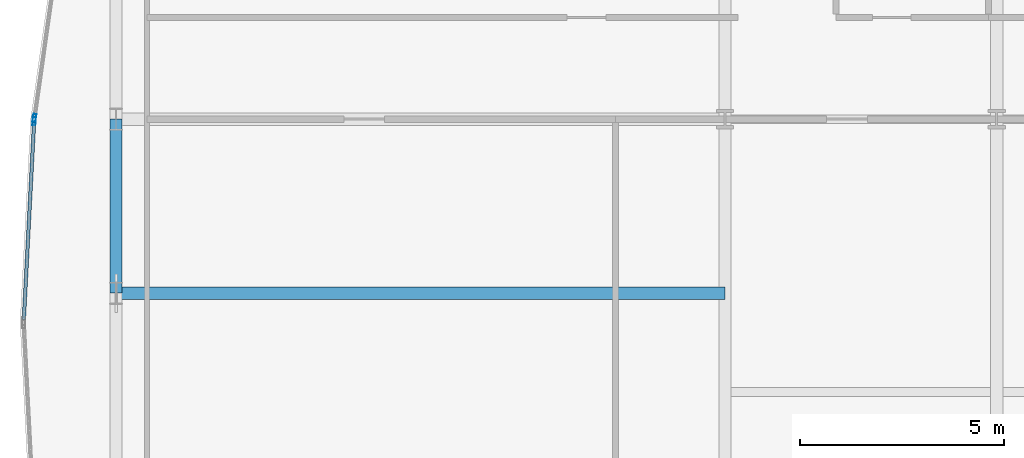
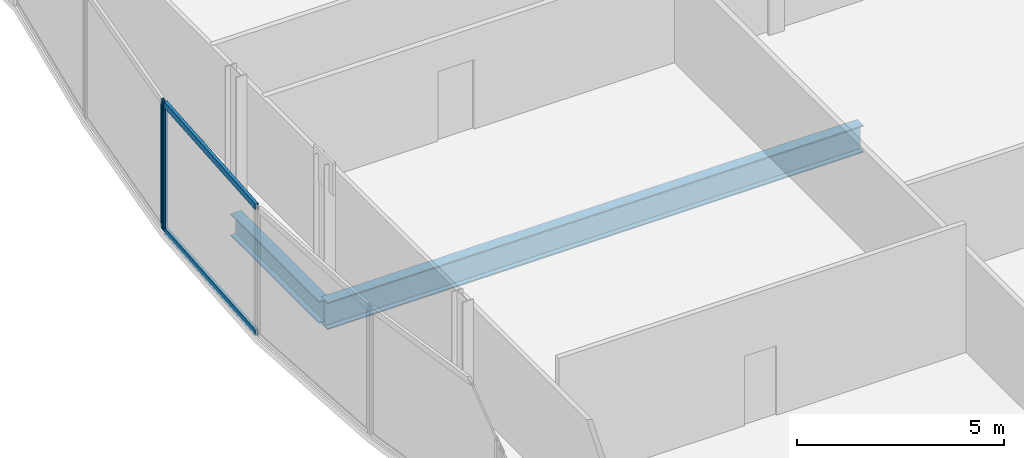
# One storey, part 11 of 34: 4 members, 2 beams, 2 elements without a shape of their own.
"""IFC4 building model written with IfcOpenShell, lengths in metres."""

from ifc_helpers import new_model, si_unit, direction, frame, origin, origin_2d, place, context, subcontext, project, spatial, hollow_rectangle, i_section, extrude, material, material_profile, profile_set, type_object, element, aggregate, save


model = new_model("IFC4")

# Units and contexts
model_context = context("Model", 3, precision=1e-05, world=origin(), true_north=direction((0.0, 1.0)))
body_context = subcontext(model_context, "Body", "Model", "MODEL_VIEW")
ifc_project = project(units=[si_unit("LENGTHUNIT", "METRE"), si_unit("AREAUNIT", "SQUARE_METRE"), si_unit("VOLUMEUNIT", "CUBIC_METRE"), si_unit("PLANEANGLEUNIT", "RADIAN"), si_unit("MASSUNIT", "GRAM", prefix="KILO")], contexts=[model_context])

# Site, building, storey
site_placement = place(None, origin())
site = spatial("IfcSite", under=ifc_project, at=site_placement, CompositionType="ELEMENT")
building_placement = place(site_placement, origin())
building = spatial("IfcBuilding", under=site, at=building_placement, Name="Khoronbel Lancet Exchange", CompositionType="ELEMENT")
storey_placement = place(building_placement, frame((0.0, 0.0, 102.60009765625)))
storey = spatial("IfcBuildingStorey", under=building, at=storey_placement, Name="L24", CompositionType="ELEMENT", Elevation=102.60009765625)

# Beams
ifc_material_1 = material(Name="Steel S355", Category="steel")
ifc_material_profile_1 = material_profile(ifc_material_1, i_section(OverallWidth=0.300048828125, OverallDepth=0.800048828125, WebThickness=0.017578125, FlangeThickness=0.032958984375, at=origin_2d()), Name="HEB 800")
ifc_profile_set_1 = profile_set([ifc_material_profile_1], Name="Steel S355")
beam_type_1 = type_object("IfcBeamType", Name="BM-BG2", PredefinedType="BEAM", material=ifc_profile_set_1)
beam_1_placement = place(storey_placement, frame((3.27001953125, 31.425048828125, -0.580078125), z_axis=(1.0, 0.0, 0.0), x_axis=(0.0, 1.0, 0.0)))
element("IfcBeam", 1, at=beam_1_placement, inside=storey, type_object=beam_type_1, Name="Level L24 west lens tie girder LG2W", PredefinedType="BEAM", context=body_context, shape_type="SweptSolid", body=[
    extrude(i_section(OverallWidth=0.300048828125, OverallDepth=0.800048828125, WebThickness=0.017578125, FlangeThickness=0.032958984375, at=origin_2d()), origin(), (0.0, 0.0, 1.0), 14.955078125),
])
ifc_material_profile_2 = material_profile(ifc_material_1, i_section(OverallWidth=0.300048828125, OverallDepth=0.64990234375, WebThickness=0.01611328125, FlangeThickness=0.031005859375, at=origin_2d()), Name="HEB 650")
ifc_profile_set_2 = profile_set([ifc_material_profile_2], Name="Steel S355")
beam_type_2 = type_object("IfcBeamType", Name="BM-BSP1", PredefinedType="SPANDREL", material=ifc_profile_set_2)
beam_2_placement = place(storey_placement, frame((3.27001953125, 35.699951171875, -0.505126953125), z_axis=(0.0, -1.0, 0.0), x_axis=(1.0, 0.0, 0.0)))
element("IfcBeam", 2, at=beam_2_placement, inside=storey, type_object=beam_type_2, Name="Level L24 perimeter spandrel beam SP18", PredefinedType="SPANDREL", context=body_context, shape_type="SweptSolid", body=[
    extrude(i_section(OverallWidth=0.300048828125, OverallDepth=0.64990234375, WebThickness=0.01611328125, FlangeThickness=0.031005859375, at=origin_2d()), origin(), (0.0, 0.0, 1.0), 4.27490234375),
])

# Curtain wall, member
ifc_material_2 = material(Name="Low-E Solar Control Insulating Glass", Category="glass")
curtain_wall_type = type_object("IfcCurtainWallType", Name="CW-4", PredefinedType="NOTDEFINED", material=ifc_material_2)
curtain_wall_1_placement = place(storey_placement, origin())
curtain_wall_1 = element("IfcCurtainWall", 3, at=curtain_wall_1_placement, inside=storey, type_object=curtain_wall_type, Name="Unitised curtain wall CW-L24-E07", PredefinedType="NOTDEFINED")
ifc_material_3 = material(Name="Bronze-Anodised Aluminium 6063-T6", Category="aluminium")
ifc_material_profile_3 = material_profile(ifc_material_3, hollow_rectangle(XDim=0.074951171875, YDim=0.199951171875, WallThickness=0.0048828125, at=origin_2d()), Name="ALU MULLION 75x200")
ifc_profile_set_3 = profile_set([ifc_material_profile_3], Name="Bronze-Anodised Aluminium 6063-T6")
member_type_1 = type_object("IfcMemberType", Name="MEM-CWM2", PredefinedType="MULLION", material=ifc_profile_set_3)
member_1_placement = place(storey_placement, frame((1.2578125, 35.65380859375, 0.0), z_axis=(0.0, 0.0, 1.0), x_axis=(-0.998651229545, 0.051920340209, 0.0)))
member_1 = element("IfcMember", 4, at=member_1_placement, type_object=member_type_1, Name="CW4 mullion 2", PredefinedType="MULLION", context=body_context, shape_type="SweptSolid", body=[
    extrude(hollow_rectangle(XDim=0.074951171875, YDim=0.199951171875, WallThickness=0.0048828125, at=origin_2d()), origin(), (0.0, 0.0, 1.0), 3.7998046875),
])

curtain_wall_2_placement = place(storey_placement, origin())
curtain_wall_2 = element("IfcCurtainWall", 5, at=curtain_wall_2_placement, inside=storey, type_object=curtain_wall_type, Name="Unitised curtain wall CW-L24-E08", PredefinedType="NOTDEFINED")
member_2_placement = place(storey_placement, frame((1.264892578125, 35.728515625, 0.0), z_axis=(0.0, 0.0, 1.0), x_axis=(-0.990065733609, 0.1406052742, 0.0)))
member_2 = element("IfcMember", 6, at=member_2_placement, type_object=member_type_1, Name="CW4 mullion 1", PredefinedType="MULLION", context=body_context, shape_type="SweptSolid", body=[
    extrude(hollow_rectangle(XDim=0.074951171875, YDim=0.199951171875, WallThickness=0.0048828125, at=origin_2d()), origin(), (0.0, 0.0, 1.0), 3.7998046875),
])
aggregate(curtain_wall_2, [member_2])

# Member
ifc_material_profile_4 = material_profile(ifc_material_3, hollow_rectangle(XDim=0.0849609375, YDim=0.179931640625, WallThickness=0.0048828125, at=origin_2d()), Name="ALU TRANSOM 85x180")
ifc_profile_set_4 = profile_set([ifc_material_profile_4], Name="Bronze-Anodised Aluminium 6063-T6")
member_type_2 = type_object("IfcMemberType", Name="MEM-CWT1", PredefinedType="USERDEFINED", material=ifc_profile_set_4)
member_3_placement = place(storey_placement, frame((1.004150390625, 30.77490234375, 0.04248046875), z_axis=(0.051919191128, 0.998651289286, 0.0), x_axis=(-0.998651289286, 0.051919191128, 0.0)))
member_3 = element("IfcMember", 7, at=member_3_placement, type_object=member_type_2, Name="CW4 transom 1.1", ObjectType="TRANSOM", PredefinedType="USERDEFINED", context=body_context, shape_type="SweptSolid", body=[
    extrude(hollow_rectangle(XDim=0.0849609375, YDim=0.179931640625, WallThickness=0.0048828125, at=origin_2d()), origin(), (0.0, 0.0, 1.0), 4.84814453125),
])

member_4_placement = place(storey_placement, frame((1.004150390625, 30.77490234375, 3.75732421875), z_axis=(0.051919191128, 0.998651289286, 0.0), x_axis=(-0.998651289286, 0.051919191128, 0.0)))
member_4 = element("IfcMember", 8, at=member_4_placement, type_object=member_type_2, Name="CW4 transom 1.2", ObjectType="TRANSOM", PredefinedType="USERDEFINED", context=body_context, shape_type="SweptSolid", body=[
    extrude(hollow_rectangle(XDim=0.0849609375, YDim=0.179931640625, WallThickness=0.0048828125, at=origin_2d()), origin(), (0.0, 0.0, 1.0), 4.84814453125),
])

aggregate(curtain_wall_1, [member_1, member_3, member_4])

save(model, "model.ifc")
